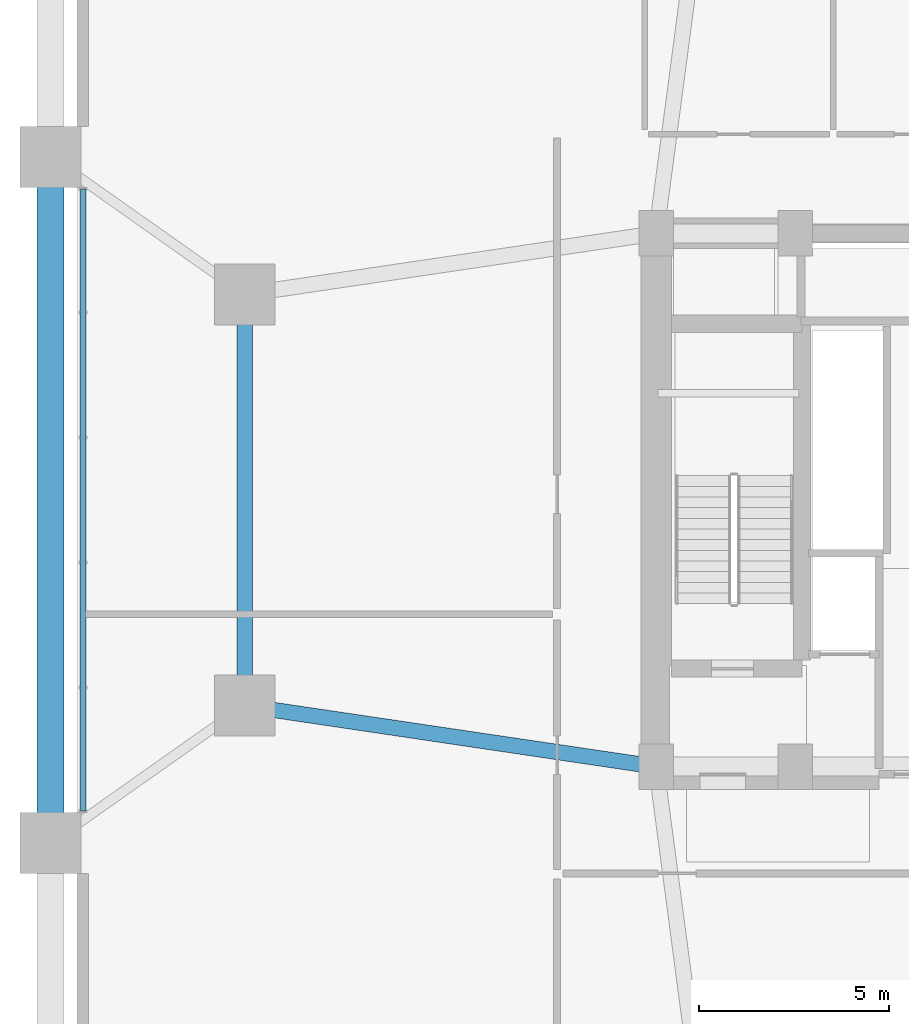
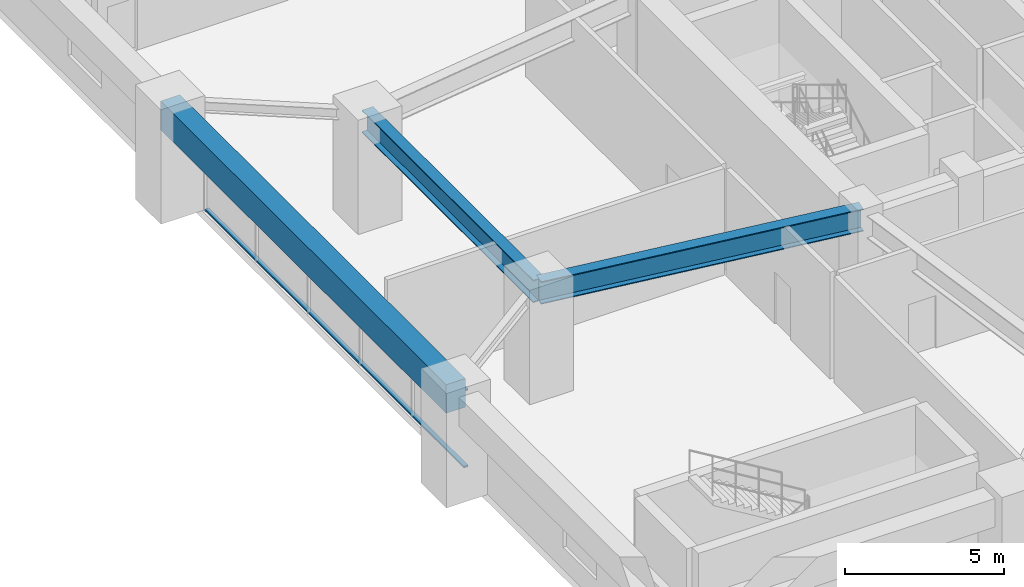
# One storey, part 5 of 16: 3 beams, 2 members, 1 element without a shape of its own.
"""IFC4 building model written with IfcOpenShell, lengths in metres."""

import ifcopenshell
import ifcopenshell.guid

model = None  # the IFC model being written
_history = None  # IfcOwnerHistory: only IFC2X3 demands one
_inside = {}  # id of a spatial element -> (the spatial element, [elements in it])
_under = {}  # id of a project, library or spatial element -> (it, [spatial elements below it])
_declared = {}  # id of a project -> (the project, [libraries it declares])
_typed = {}  # id of a type object -> (the type object, [elements of that type])
_made_of = {}  # id of a material, layer set ... -> (it, [elements and type objects made of it])


def new_model(schema):
    """Start an empty IFC model of exactly this schema.

    Asked for "IFC4X3", IfcOpenShell would pick the latest addendum, in which some entities
    have other attributes; the version numbers below select the first issue.
    IFC2X3 requires an IfcOwnerHistory on every rooted entity: one is made here for all.
    """
    global model, _history
    if schema == "IFC4X3":
        model = ifcopenshell.file(schema_version=(4, 3, 0, 0))
    else:
        model = ifcopenshell.file(schema=schema)
    _inside.clear()
    _under.clear()
    _declared.clear()
    _typed.clear()
    _made_of.clear()
    _history = None
    if model.schema == "IFC2X3":
        org = make("IfcOrganization", Name="unknown")
        user = make(
            "IfcPersonAndOrganization",
            ThePerson=make("IfcPerson", FamilyName="unknown"),
            TheOrganization=org,
        )
        app = make(
            "IfcApplication",
            ApplicationDeveloper=org,
            Version="unknown",
            ApplicationFullName="unknown",
            ApplicationIdentifier="unknown",
        )
        _history = make(
            "IfcOwnerHistory",
            OwningUser=user,
            OwningApplication=app,
            ChangeAction="ADDED",
            CreationDate=0,
        )
    return model


def make(cls, **values):
    """One entity of the class cls with the attributes given. An attribute that is None is left unset."""
    return model.create_entity(
        cls, **{name: value for name, value in values.items() if value is not None}
    )


def rooted(cls, **values):
    """An entity with a GlobalId (a new one), such as an element, a storey or a relation."""
    return make(cls, GlobalId=ifcopenshell.guid.new(), OwnerHistory=_history, **values)


def si_unit(unit_type, name, prefix=None):
    """IfcSIUnit, for example si_unit("LENGTHUNIT", "METRE", prefix="MILLI")."""
    return make("IfcSIUnit", UnitType=unit_type, Prefix=prefix, Name=name)


def assignment(units):
    """IfcUnitAssignment: the units of a project."""
    return None if units is None else make("IfcUnitAssignment", Units=units)


def point(xyz):
    """IfcCartesianPoint."""
    return None if xyz is None else make("IfcCartesianPoint", Coordinates=xyz)


def direction(xyz):
    """IfcDirection."""
    return None if xyz is None else make("IfcDirection", DirectionRatios=xyz)


def frame(location, z_axis=None, x_axis=None):
    """IfcAxis2Placement3D, a coordinate frame: its origin and axes. An axis left out is left unset."""
    return make(
        "IfcAxis2Placement3D",
        Location=point(location),
        Axis=direction(z_axis),
        RefDirection=direction(x_axis),
    )


def frame_2d(location, x_axis=None):
    """IfcAxis2Placement2D, a coordinate frame in the plane: its origin and x axis."""
    return make(
        "IfcAxis2Placement2D", Location=point(location), RefDirection=direction(x_axis)
    )


def origin():
    """The frame at (0, 0, 0) with its axes left unset."""
    return frame((0.0, 0.0, 0.0))


def origin_2d():
    """The frame at (0, 0) in the plane with its x axis left unset."""
    return frame_2d((0.0, 0.0))


def place(relative_to, where):
    """IfcLocalPlacement: puts the frame where relative to a parent placement (None: the world)."""
    return make(
        "IfcLocalPlacement", PlacementRelTo=relative_to, RelativePlacement=where
    )


def context(
    kind, dimensions, precision=None, world=None, true_north=None, identifier=None
):
    """IfcGeometricRepresentationContext, for example the 3D "Model" context."""
    return make(
        "IfcGeometricRepresentationContext",
        ContextIdentifier=identifier,
        ContextType=kind,
        CoordinateSpaceDimension=dimensions,
        Precision=precision,
        WorldCoordinateSystem=world,
        TrueNorth=true_north,
    )


def subcontext(parent, identifier, kind, view, scale=None):
    """IfcGeometricRepresentationSubContext, for example "Body" below "Model"."""
    return make(
        "IfcGeometricRepresentationSubContext",
        ContextIdentifier=identifier,
        ContextType=kind,
        ParentContext=parent,
        TargetScale=scale,
        TargetView=view,
    )


def project(units=None, contexts=None):
    """IfcProject with its units and contexts."""
    return rooted(
        "IfcProject",
        Name="project",
        RepresentationContexts=contexts,
        UnitsInContext=assignment(units),
    )


def spatial(cls, under=None, at=None, **own):
    """A site, building, storey or space (cls), placed at a placement, below another one or the project."""
    s = rooted(cls, ObjectPlacement=at, **own)
    if under is not None:
        _under.setdefault(under.id(), (under, []))[1].append(s)
    return s


def profile(cls, at=None, kind="AREA", **sizes):
    """A parametric profile (cls). Its sizes go by their IFC names, for example OverallWidth=200.0."""
    return make(cls, ProfileType=kind, Position=at, **sizes)


def rectangle(**sizes):
    """IfcRectangleProfileDef."""
    return profile("IfcRectangleProfileDef", **sizes)


def hollow_rectangle(**sizes):
    """IfcRectangleHollowProfileDef."""
    return profile("IfcRectangleHollowProfileDef", **sizes)


def i_section(**sizes):
    """IfcIShapeProfileDef."""
    return profile("IfcIShapeProfileDef", **sizes)


def extrude(swept, where, along, depth):
    """IfcExtrudedAreaSolid: the profile swept, set in the frame where, extruded along a direction by depth."""
    return make(
        "IfcExtrudedAreaSolid",
        SweptArea=swept,
        Position=where,
        ExtrudedDirection=direction(along),
        Depth=depth,
    )


def shape(context_of_items, identifier, shape_type, items):
    """IfcShapeRepresentation: the items that make up one representation, for example the "Body"."""
    return make(
        "IfcShapeRepresentation",
        ContextOfItems=context_of_items,
        RepresentationIdentifier=identifier,
        RepresentationType=shape_type,
        Items=items,
    )


def source(mapping_origin, context_of_items, identifier, shape_type, items):
    """IfcRepresentationMap: a shape defined once, which mapped items show again and again."""
    return make(
        "IfcRepresentationMap",
        MappingOrigin=mapping_origin,
        MappedRepresentation=shape(context_of_items, identifier, shape_type, items),
    )


def transform(
    local_origin,
    x_axis=None,
    y_axis=None,
    z_axis=None,
    scale=None,
    scale2=None,
    scale3=None,
    uniform=True,
):
    """IfcCartesianTransformationOperator3D, or its non-uniform kind. x_axis, y_axis, z_axis: its Axis1, 2, 3."""
    if uniform:
        return make(
            "IfcCartesianTransformationOperator3D",
            Axis1=direction(x_axis),
            Axis2=direction(y_axis),
            LocalOrigin=point(local_origin),
            Scale=scale,
            Axis3=direction(z_axis),
        )
    return make(
        "IfcCartesianTransformationOperator3DnonUniform",
        Axis1=direction(x_axis),
        Axis2=direction(y_axis),
        LocalOrigin=point(local_origin),
        Scale=scale,
        Axis3=direction(z_axis),
        Scale2=scale2,
        Scale3=scale3,
    )


def mapped(mapping_source, mapping_target):
    """IfcMappedItem: shows the shape of a source again, moved by a transform."""
    return make(
        "IfcMappedItem", MappingSource=mapping_source, MappingTarget=mapping_target
    )


def material(Name=None, Category=None):
    """IfcMaterial."""
    return make("IfcMaterial", Name=Name, Category=Category)


def layer(
    of_material, thickness, ventilated=None, Name=None, Category=None, Priority=None
):
    """IfcMaterialLayer: one layer of a wall or slab, of a material (None: an air gap)."""
    return make(
        "IfcMaterialLayer",
        Material=of_material,
        LayerThickness=thickness,
        IsVentilated=ventilated,
        Name=Name,
        Category=Category,
        Priority=Priority,
    )


def layer_set(layers, Name=None):
    """IfcMaterialLayerSet."""
    return make("IfcMaterialLayerSet", MaterialLayers=layers, LayerSetName=Name)


def material_profile(
    of_material, cross_section, Name=None, Category=None, Priority=None
):
    """IfcMaterialProfile: a cross section and its material."""
    return make(
        "IfcMaterialProfile",
        Name=Name,
        Material=of_material,
        Profile=cross_section,
        Priority=Priority,
        Category=Category,
    )


def profile_set(profiles, Name=None, composite=None):
    """IfcMaterialProfileSet."""
    return make(
        "IfcMaterialProfileSet",
        Name=Name,
        MaterialProfiles=profiles,
        CompositeProfile=composite,
    )


def made_of(thing, what):
    """Note that an element or type object is made of a material, layer set ...; save() writes the relation."""
    if what is not None:
        _made_of.setdefault(what.id(), (what, []))[1].append(thing)
    return thing


def type_object(cls, material=None, **own):
    """A type object (cls), such as IfcWallType, which elements share."""
    return made_of(rooted(cls, **own), material)


def element(
    cls,
    number,
    at=None,
    inside=None,
    cuts=None,
    type_object=None,
    material=None,
    context=None,
    identifier="Body",
    shape_type=None,
    held_by="IfcProductDefinitionShape",
    body=None,
    shapes=None,
    **own,
):
    """One element of the class cls, such as IfcWall. Its Tag is "e" and its number.

    at: its placement. inside: the storey or other place that contains it. cuts: it is an
    opening in that element (IfcRelVoidsElement). A single representation is given by context,
    identifier, shape_type and body (its items); several are given by shapes. held_by: the class
    of the entity that holds the representations. save() writes the other relations.
    """
    e = rooted(cls, Tag="e%d" % number, ObjectPlacement=at, **own)
    if body is not None:
        shapes = [shape(context, identifier, shape_type, body)]
    if shapes is not None:
        e.Representation = make(held_by, Representations=shapes)
    if inside is not None:
        _inside.setdefault(inside.id(), (inside, []))[1].append(e)
    if cuts is not None:
        rooted(
            "IfcRelVoidsElement", RelatingBuildingElement=cuts, RelatedOpeningElement=e
        )
    if type_object is not None:
        _typed.setdefault(type_object.id(), (type_object, []))[1].append(e)
    return made_of(e, material)


def aggregate(whole, parts):
    """IfcRelAggregates: a whole, such as a stair, and the parts it consists of."""
    return rooted("IfcRelAggregates", RelatingObject=whole, RelatedObjects=parts)


def save(model, path):
    """Write the relations noted so far, then the file.

    IfcRelAggregates (storeys below a building ...), IfcRelContainedInSpatialStructure (elements
    in a storey), IfcRelDefinesByType, IfcRelAssociatesMaterial and IfcRelDeclares: one each for
    every whole, place, type object, material and project.
    """
    for whole, parts in _under.values():
        aggregate(whole, parts)
    for where, things in _inside.values():
        rooted(
            "IfcRelContainedInSpatialStructure",
            RelatedElements=things,
            RelatingStructure=where,
        )
    for kind, things in _typed.values():
        rooted("IfcRelDefinesByType", RelatedObjects=things, RelatingType=kind)
    for what, things in _made_of.values():
        rooted("IfcRelAssociatesMaterial", RelatedObjects=things, RelatingMaterial=what)
    for by, libraries in _declared.values():
        rooted("IfcRelDeclares", RelatingContext=by, RelatedDefinitions=libraries)
    model.write(path)


model = new_model("IFC4")

# Units and contexts
model_context = context("Model", 3, precision=1e-05, world=origin(), true_north=direction((0.0, 1.0)))
body_context = subcontext(model_context, "Body", "Model", "MODEL_VIEW")
ifc_project = project(units=[si_unit("LENGTHUNIT", "METRE"), si_unit("AREAUNIT", "SQUARE_METRE"), si_unit("VOLUMEUNIT", "CUBIC_METRE"), si_unit("PLANEANGLEUNIT", "RADIAN"), si_unit("MASSUNIT", "GRAM", prefix="KILO")], contexts=[model_context])

# Site, building, storey
site_placement = place(None, origin())
site = spatial("IfcSite", under=ifc_project, at=site_placement, CompositionType="ELEMENT")
building_placement = place(site_placement, origin())
building = spatial("IfcBuilding", under=site, at=building_placement, Name="Veraguas Prism Commons", CompositionType="ELEMENT")
storey_placement = place(building_placement, frame((0.0, 0.0, 9.60009765625)))
storey = spatial("IfcBuildingStorey", under=building, at=storey_placement, Name="L02", CompositionType="ELEMENT", Elevation=9.60009765625)

# Beams
ifc_material_1 = material(Name="Steel ASTM A992 Grade 50", Category="steel")
ifc_material_profile_1 = material_profile(ifc_material_1, i_section(OverallWidth=0.403076171875, OverallDepth=0.867919921875, WebThickness=0.02099609375, FlangeThickness=0.03564453125, at=origin_2d()), Name="W840X359")
ifc_profile_set_1 = profile_set([ifc_material_profile_1], Name="Steel ASTM A992 Grade 50")
beam_type_1 = type_object("IfcBeamType", Name="Concourse Primary Girder W840x359", PredefinedType="BEAM", material=ifc_profile_set_1)
beam_1_placement = place(storey_placement, frame((6.39990234375, 18.60009765625, 3.666015625), z_axis=(0.989202261707, -0.146556765224, 0.0), x_axis=(0.146556765224, 0.989202261707, 0.0)))
element("IfcBeam", 1, at=beam_1_placement, inside=storey, type_object=beam_type_1, Name="Concourse Radial Girder L02-TMR06", PredefinedType="BEAM", context=body_context, shape_type="SweptSolid", body=[
    extrude(i_section(OverallWidth=0.403076171875, OverallDepth=0.867919921875, WebThickness=0.02099609375, FlangeThickness=0.03564453125, at=origin_2d()), origin(), (0.0, 0.0, 1.0), 10.91796875),
])
beam_2_placement = place(storey_placement, frame((6.39990234375, 29.39990234375, 3.666015625), z_axis=(0.0, -1.0, 0.0), x_axis=(1.0, 0.0, 0.0)))
element("IfcBeam", 2, at=beam_2_placement, inside=storey, type_object=beam_type_1, Name="Concourse Ring Girder L02-TMH05", PredefinedType="BEAM", context=body_context, shape_type="SweptSolid", body=[
    extrude(i_section(OverallWidth=0.403076171875, OverallDepth=0.867919921875, WebThickness=0.02099609375, FlangeThickness=0.03564453125, at=origin_2d()), origin(), (0.0, 0.0, 1.0), 10.7998046875),
])
ifc_material_2 = material(Name="Concrete C50/60", Category="concrete")
ifc_material_profile_2 = material_profile(ifc_material_2, rectangle(XDim=0.699951171875, YDim=1.10009765625, at=origin_2d()), Name="RC700X1100")
ifc_profile_set_2 = profile_set([ifc_material_profile_2], Name="Concrete C50/60")
beam_type_2 = type_object("IfcBeamType", Name="Podium Primary Girder RC 700x1100", PredefinedType="BEAM", material=ifc_profile_set_2)
beam_3_placement = place(storey_placement, frame((1.300048828125, 33.0, 3.5498046875), z_axis=(0.0, -1.0, 0.0), x_axis=(1.0, 0.0, 0.0)))
element("IfcBeam", 3, at=beam_3_placement, inside=storey, type_object=beam_type_2, Name="Podium Perimeter Girder L02-PDR13", PredefinedType="BEAM", context=body_context, shape_type="SweptSolid", body=[
    extrude(rectangle(XDim=0.699951171875, YDim=1.10009765625, at=origin_2d()), origin(), (0.0, 0.0, 1.0), 18.0),
])

# Curtain wall, members
ifc_material_3 = material(Name="Anodised aluminium EN AW-6063 T6", Category="aluminium")
ifc_layer = layer(ifc_material_3, 0.199951171875, Name="Metro Concourse Structural Glazing", Category="aluminium")
ifc_layer_set = layer_set([ifc_layer], Name="Anodised aluminium EN AW-6063 T6")
curtain_wall_type = type_object("IfcCurtainWallType", Name="Metro Concourse Structural Glazing", PredefinedType="NOTDEFINED", material=ifc_layer_set)
curtain_wall_placement = place(storey_placement, origin())
curtain_wall = element("IfcCurtainWall", 4, at=curtain_wall_placement, inside=storey, type_object=curtain_wall_type, Name="Via Espana Metro Concourse Curtain Wall L02-W02", PredefinedType="NOTDEFINED")
ifc_material_profile_3 = material_profile(ifc_material_3, hollow_rectangle(XDim=0.06005859375, YDim=0.159912109375, WallThickness=0.0029296875, at=origin_2d()), Name="AL60X160X3")
ifc_profile_set_3 = profile_set([ifc_material_profile_3], Name="Anodised aluminium EN AW-6063 T6")
member_type = type_object("IfcMemberType", Name="Curtain Wall Transom Heavy AL 60x160x3", PredefinedType="USERDEFINED", material=ifc_profile_set_3)
shared_shape = source(origin(), body_context, "Body", "SweptSolid", [
    extrude(hollow_rectangle(XDim=0.06005859375, YDim=0.159912109375, WallThickness=0.0029296875, at=origin_2d()), origin(), (0.0, 0.0, 1.0), 16.3349609375),
])
member_1_placement = place(storey_placement, frame((2.14990234375, 32.16748046875, 0.02978515625), z_axis=(0.0, -1.0, 0.0), x_axis=(0.0, 0.0, 1.0)))
member_1 = element("IfcMember", 5, at=member_1_placement, type_object=member_type, Name="CW-STN Transom 1", ObjectType="TRANSOM", PredefinedType="USERDEFINED", context=body_context, shape_type="MappedRepresentation", body=[
    mapped(shared_shape, transform((0.0, 0.0, 0.0), scale=1.0)),
])
member_2_placement = place(storey_placement, frame((2.14990234375, 32.16748046875, 2.969970703125), z_axis=(0.0, -1.0, 0.0), x_axis=(0.0, 0.0, 1.0)))
member_2 = element("IfcMember", 6, at=member_2_placement, type_object=member_type, Name="CW-STN Transom 2", ObjectType="TRANSOM", PredefinedType="USERDEFINED", context=body_context, shape_type="MappedRepresentation", body=[
    mapped(shared_shape, transform((0.0, 0.0, 0.0), scale=1.0)),
])
aggregate(curtain_wall, [member_1, member_2])

save(model, "model.ifc")
